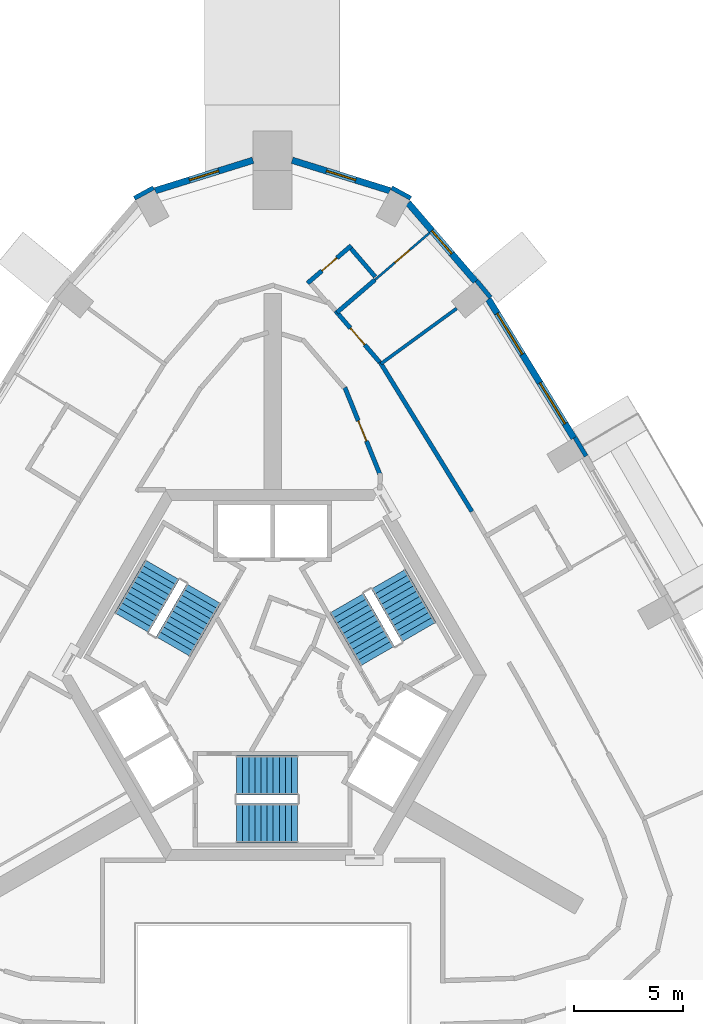
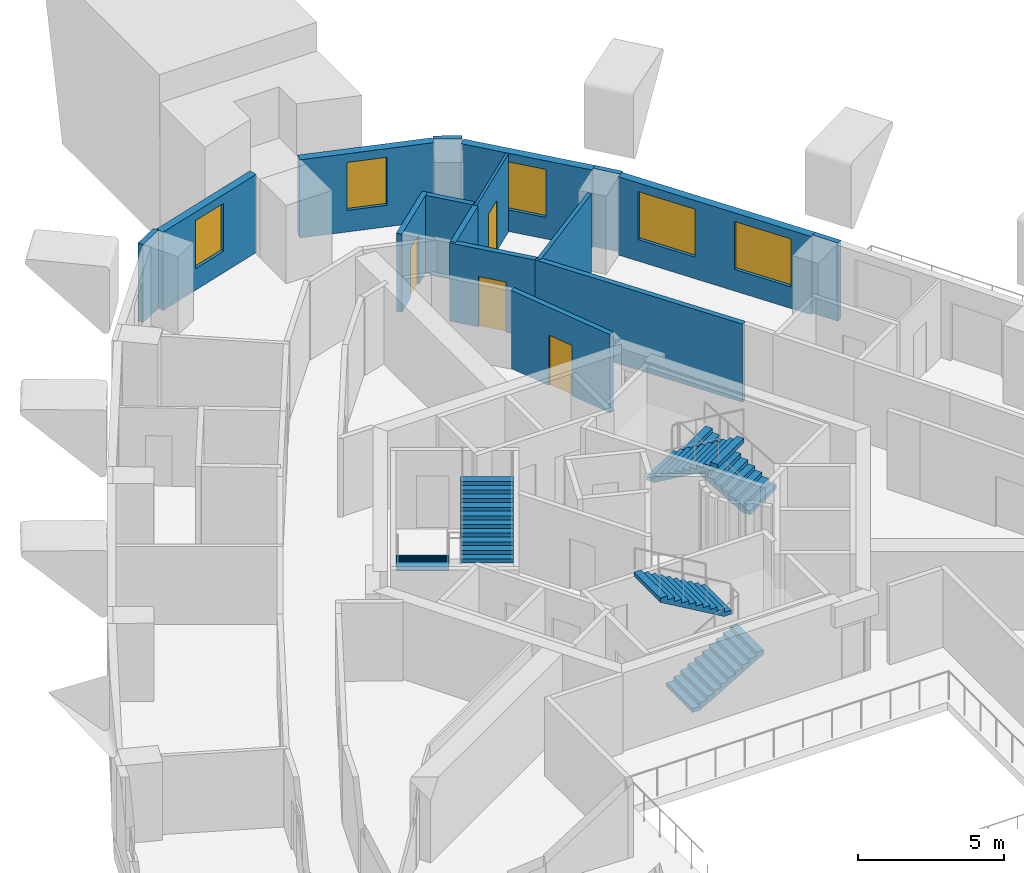
# One storey, part 8 of 11: 16 walls, 6 stair flights, 5 windows, 4 doors, 9 openings, 3 elements without a shape of their own.
"""IFC4 building model written with IfcOpenShell, lengths in metres."""

from ifc_helpers import new_model, si_unit, direction, frame, frame_2d, origin, place, context, subcontext, project, spatial, polyline, rectangle, outline, extrude, material, layer, layer_set, type_object, element, fill, aggregate, save


model = new_model("IFC4")

# Units and contexts
model_context = context("Model", 3, precision=1e-05, world=origin(), true_north=direction((0.0, 1.0)))
body_context = subcontext(model_context, "Body", "Model", "MODEL_VIEW")
ifc_project = project(units=[si_unit("LENGTHUNIT", "METRE"), si_unit("AREAUNIT", "SQUARE_METRE"), si_unit("VOLUMEUNIT", "CUBIC_METRE"), si_unit("PLANEANGLEUNIT", "RADIAN"), si_unit("MASSUNIT", "GRAM", prefix="KILO")], contexts=[model_context])

# Site, building, storey
site_placement = place(None, origin())
site = spatial("IfcSite", under=ifc_project, at=site_placement, CompositionType="ELEMENT")
building_placement = place(site_placement, origin())
building = spatial("IfcBuilding", under=site, at=building_placement, Name="Entoto Arch Interchange Tower", CompositionType="ELEMENT")
storey_placement = place(building_placement, frame((0.0, 0.0, 318.800048828125)))
storey = spatial("IfcBuildingStorey", under=building, at=storey_placement, Name="L75", CompositionType="ELEMENT", Elevation=318.800048828125)

# Wall, opening, door
ifc_material_1 = material(Name="Gypsum board partition on steel studs", Category="steel")
ifc_layer_1 = layer(ifc_material_1, 0.10009765625)
ifc_layer_set_1 = layer_set([ifc_layer_1], Name="Gypsum board partition on steel studs")
wall_type_1 = type_object("IfcWallType", Name="PARTITION 100", PredefinedType="PARTITIONING", material=ifc_layer_set_1)
wall_1_placement = place(storey_placement, frame((4.697998046875, 20.632080078125, 0.0), z_axis=(0.0, 0.0, 1.0), x_axis=(0.75843091069, 0.651753445491, 0.0)))
wall_1 = element("IfcWall", 1, at=wall_1_placement, inside=storey, type_object=wall_type_1, Name="wall:L75:p092", PredefinedType="PARTITIONING", context=body_context, shape_type="SweptSolid", body=[
    extrude(rectangle(XDim=3.300048828125, YDim=0.10009765625, at=frame_2d((1.64990234375, 0.0))), origin(), (0.0, 0.0, 1.0), 3.260009765625),
])
opening_1_placement = place(wall_1_placement, frame((1.199951171875, 0.0, 0.0)))
opening_1 = element("IfcOpeningElement", 2, at=opening_1_placement, cuts=wall_1, Name="Opening L75-D08", PredefinedType="OPENING", context=body_context, shape_type="SweptSolid", body=[
    extrude(rectangle(XDim=0.89990234375, YDim=2.10009765625, at=frame_2d((0.449951171875, 1.050048828125))), frame((0.0, 0.06005859375, 0.0), z_axis=(0.0, -1.0, 0.0), x_axis=(1.0, 0.0, 0.0)), (0.0, 0.0, 1.0), 0.1201171875),
])
ifc_material_2 = material(Name="Timber door leaf in Steel S235 frame", Category="steel")
door_type_1 = type_object("IfcDoorType", Name="DOOR DS-09 900x2100", OperationType="SINGLE_SWING_LEFT", PredefinedType="DOOR", material=ifc_material_2)
door_1_placement = place(opening_1_placement, origin())
door_1 = element("IfcDoor", 3, at=door_1_placement, inside=storey, type_object=door_type_1, Name="door:L75:08", OperationType="SINGLE_SWING_RIGHT", OverallHeight=2.10009765625, OverallWidth=0.89990234375, PredefinedType="DOOR", context=body_context, shape_type="SweptSolid", body=[
    extrude(rectangle(XDim=0.89990234375, YDim=2.10009765625, at=frame_2d((0.449951171875, 1.050048828125))), frame((0.0, 0.02490234375, 0.0), z_axis=(0.0, -1.0, 0.0), x_axis=(1.0, 0.0, 0.0)), (0.0, 0.0, 1.0), 0.050048828125),
])
fill(opening_1, door_1)

# Wall
ifc_layer_2 = layer(ifc_material_1, 0.14990234375)
ifc_layer_set_2 = layer_set([ifc_layer_2], Name="Gypsum board partition on steel studs")
wall_type_2 = type_object("IfcWallType", Name="PARTITION 150", PredefinedType="PARTITIONING", material=ifc_layer_set_2)
wall_2_placement = place(storey_placement, frame((4.97412109375, 16.781982421875, 0.0), z_axis=(0.0, 0.0, 1.0), x_axis=(0.807621211013, 0.589701602102, 0.0)))
element("IfcWall", 4, at=wall_2_placement, inside=storey, type_object=wall_type_2, Name="wall:L75:p091", PredefinedType="PARTITIONING", context=body_context, shape_type="SweptSolid", body=[
    extrude(rectangle(XDim=4.29541015625, YDim=0.14990234375, at=frame_2d((2.147705078125, 0.0))), origin(), (0.0, 0.0, 1.0), 3.260009765625),
])

# Wall, opening, door
ifc_layer_3 = layer(ifc_material_1, 0.199951171875)
ifc_layer_set_3 = layer_set([ifc_layer_3], Name="Gypsum board partition on steel studs")
wall_type_3 = type_object("IfcWallType", Name="PARTITION 200", PredefinedType="PARTITIONING", material=ifc_layer_set_3)
wall_3_placement = place(storey_placement, frame((4.923095703125, 11.70703125, 0.0), z_axis=(0.0, 0.0, 1.0), x_axis=(-0.374122865642, 0.927379146522, 0.0)))
wall_3 = element("IfcWall", 5, at=wall_3_placement, inside=storey, type_object=wall_type_3, Name="wall:L75:p007", PredefinedType="PARTITIONING", context=body_context, shape_type="SweptSolid", body=[
    extrude(rectangle(XDim=4.2958984375, YDim=0.199951171875, at=frame_2d((2.14794921875, 0.0))), origin(), (0.0, 0.0, 1.0), 3.260009765625),
])
opening_2_placement = place(wall_3_placement, frame((1.64794921875, 0.0, 0.0)))
opening_2 = element("IfcOpeningElement", 6, at=opening_2_placement, cuts=wall_3, Name="Opening L75-D20", PredefinedType="OPENING", context=body_context, shape_type="SweptSolid", body=[
    extrude(rectangle(XDim=1.0, YDim=2.10009765625, at=frame_2d((0.5, 1.050048828125))), frame((0.0, 0.10986328125, 0.0), z_axis=(0.0, -1.0, 0.0), x_axis=(1.0, 0.0, 0.0)), (0.0, 0.0, 1.0), 0.219970703125),
])
door_type_2 = type_object("IfcDoorType", Name="DOOR DS-10 1000x2100", OperationType="SINGLE_SWING_LEFT", PredefinedType="DOOR", material=ifc_material_2)
door_2_placement = place(opening_2_placement, origin())
door_2 = element("IfcDoor", 7, at=door_2_placement, inside=storey, type_object=door_type_2, Name="door:L75:20", OperationType="SINGLE_SWING_LEFT", OverallHeight=2.10009765625, OverallWidth=1.0, PredefinedType="DOOR", context=body_context, shape_type="SweptSolid", body=[
    extrude(rectangle(XDim=1.0, YDim=2.10009765625, at=frame_2d((0.5, 1.050048828125))), frame((0.0, 0.02490234375, 0.0), z_axis=(0.0, -1.0, 0.0), x_axis=(1.0, 0.0, 0.0)), (0.0, 0.0, 1.0), 0.050048828125),
])
fill(opening_2, door_2)

# Wall
wall_4_placement = place(storey_placement, frame((4.922119140625, 16.866943359375, 0.0), z_axis=(0.0, 0.0, 1.0), x_axis=(0.523943621984, -0.851752945978, 0.0)))
element("IfcWall", 8, at=wall_4_placement, inside=storey, type_object=wall_type_3, Name="wall:L75:p037", PredefinedType="PARTITIONING", context=body_context, shape_type="SweptSolid", body=[
    extrude(rectangle(XDim=8.059814453125, YDim=0.199951171875, at=frame_2d((4.02978515625, 0.0))), origin(), (0.0, 0.0, 1.0), 3.260009765625),
])

# Wall, opening, door
wall_5_placement = place(storey_placement, frame((2.888916015625, 19.208984375, 0.0), z_axis=(0.0, 0.0, 1.0), x_axis=(0.651686040861, -0.758488829283, 0.0)))
wall_5 = element("IfcWall", 9, at=wall_5_placement, inside=storey, type_object=wall_type_3, Name="wall:L75:p040", PredefinedType="PARTITIONING", context=body_context, shape_type="SweptSolid", body=[
    extrude(rectangle(XDim=3.099609375, YDim=0.199951171875, at=frame_2d((1.5498046875, 0.0))), origin(), (0.0, 0.0, 1.0), 3.260009765625),
])
opening_3_placement = place(wall_5_placement, frame((1.050048828125, 0.0, 0.0)))
opening_3 = element("IfcOpeningElement", 10, at=opening_3_placement, cuts=wall_5, Name="Opening L75-D07", PredefinedType="OPENING", context=body_context, shape_type="SweptSolid", body=[
    extrude(rectangle(XDim=1.0, YDim=2.10009765625, at=frame_2d((0.5, 1.050048828125))), frame((0.0, 0.10986328125, 0.0), z_axis=(0.0, -1.0, 0.0), x_axis=(1.0, 0.0, 0.0)), (0.0, 0.0, 1.0), 0.219970703125),
])
ifc_material_3 = material(Name="Fire-rated Steel S235 door and frame", Category="steel")
door_type_3 = type_object("IfcDoorType", Name="DOOR FD-10 1000x2100", OperationType="SINGLE_SWING_LEFT", PredefinedType="DOOR", material=ifc_material_3)
door_3_placement = place(opening_3_placement, origin())
door_3 = element("IfcDoor", 11, at=door_3_placement, inside=storey, type_object=door_type_3, Name="door:L75:07", OperationType="SINGLE_SWING_LEFT", OverallHeight=2.10009765625, OverallWidth=1.0, PredefinedType="DOOR", context=body_context, shape_type="SweptSolid", body=[
    extrude(rectangle(XDim=1.0, YDim=2.10009765625, at=frame_2d((0.5, 1.050048828125))), frame((0.0, 0.02490234375, 0.0), z_axis=(0.0, -1.0, 0.0), x_axis=(1.0, 0.0, 0.0)), (0.0, 0.0, 1.0), 0.050048828125),
])
fill(opening_3, door_3)

# Walls
wall_6_placement = place(storey_placement, frame((2.9541015625, 19.133056640625, 0.0), z_axis=(0.0, 0.0, 1.0), x_axis=(0.758341579104, 0.65185738425, 0.0)))
element("IfcWall", 12, at=wall_6_placement, inside=storey, type_object=wall_type_3, Name="wall:L75:p093", PredefinedType="PARTITIONING", context=body_context, shape_type="SweptSolid", body=[
    extrude(rectangle(XDim=2.299560546875, YDim=0.199951171875, at=frame_2d((1.14990234375, 0.0))), origin(), (0.0, 0.0, 1.0), 3.260009765625),
])
wall_7_placement = place(storey_placement, frame((4.708984375, 20.77294921875, 0.0), z_axis=(0.0, 0.0, 1.0), x_axis=(-0.651808051275, 0.758383982092, 0.0)))
element("IfcWall", 13, at=wall_7_placement, inside=storey, type_object=wall_type_3, Name="wall:L75:p094", PredefinedType="PARTITIONING", context=body_context, shape_type="SweptSolid", body=[
    extrude(rectangle(XDim=1.69970703125, YDim=0.199951171875, at=frame_2d((0.849853515625, 0.0))), origin(), (0.0, 0.0, 1.0), 3.260009765625),
])

# Wall, opening, door
wall_8_placement = place(storey_placement, frame((3.611083984375, 22.202880859375, 0.0), z_axis=(0.0, 0.0, 1.0), x_axis=(-0.75836467248, -0.651830517493, 0.0)))
wall_8 = element("IfcWall", 14, at=wall_8_placement, inside=storey, type_object=wall_type_3, Name="wall:L75:p095", PredefinedType="PARTITIONING", context=body_context, shape_type="SweptSolid", body=[
    extrude(rectangle(XDim=2.649169921875, YDim=0.199951171875, at=frame_2d((1.32470703125, 0.0))), origin(), (0.0, 0.0, 1.0), 3.260009765625),
])
opening_4_placement = place(wall_8_placement, frame((0.875, 0.0, 0.0)))
opening_4 = element("IfcOpeningElement", 15, at=opening_4_placement, cuts=wall_8, Name="Opening L75-D09", PredefinedType="OPENING", context=body_context, shape_type="SweptSolid", body=[
    extrude(rectangle(XDim=0.89990234375, YDim=2.10009765625, at=frame_2d((0.449951171875, 1.050048828125))), frame((0.0, 0.10986328125, 0.0), z_axis=(0.0, -1.0, 0.0), x_axis=(1.0, 0.0, 0.0)), (0.0, 0.0, 1.0), 0.219970703125),
])
door_4_placement = place(opening_4_placement, origin())
door_4 = element("IfcDoor", 16, at=door_4_placement, inside=storey, type_object=door_type_1, Name="door:L75:09", OperationType="SINGLE_SWING_LEFT", OverallHeight=2.10009765625, OverallWidth=0.89990234375, PredefinedType="DOOR", context=body_context, shape_type="SweptSolid", body=[
    extrude(rectangle(XDim=0.89990234375, YDim=2.10009765625, at=frame_2d((0.449951171875, 1.050048828125))), frame((0.0, 0.02490234375, 0.0), z_axis=(0.0, -1.0, 0.0), x_axis=(1.0, 0.0, 0.0)), (0.0, 0.0, 1.0), 0.050048828125),
])
fill(opening_4, door_4)

# Wall, openings, windows
ifc_material_4 = material(Name="Welded tuff (ignimbrite) cladding, warm buff", Category="masonry")
ifc_layer_4 = layer(ifc_material_4, 0.300048828125)
ifc_layer_set_4 = layer_set([ifc_layer_4], Name="Welded tuff (ignimbrite) cladding, warm buff")
wall_type_4 = type_object("IfcWallType", Name="STONE INFILL WALL 300", PredefinedType="STANDARD", material=ifc_layer_set_4)
wall_9_placement = place(storey_placement, frame((13.822998046875, 13.3720703125, 0.0), z_axis=(0.0, 0.0, 1.0), x_axis=(-0.524004608874, 0.851715427757, 0.0)))
wall_9 = element("IfcWall", 17, at=wall_9_placement, inside=storey, type_object=wall_type_4, Name="Facade wall NE-03 L75", PredefinedType="STANDARD", context=body_context, shape_type="SweptSolid", body=[
    extrude(rectangle(XDim=7.48486328125, YDim=0.300048828125, at=frame_2d((3.742431640625, 0.0))), origin(), (0.0, 0.0, 1.0), 3.260009765625),
])
opening_5_placement = place(wall_9_placement, frame((0.77099609375, 0.0, 0.89990234375)))
opening_5 = element("IfcOpeningElement", 18, at=opening_5_placement, cuts=wall_9, Name="Opening WH-A", PredefinedType="OPENING", context=body_context, shape_type="SweptSolid", body=[
    extrude(rectangle(XDim=2.199951171875, YDim=2.0, at=frame_2d((1.10009765625, 1.0))), frame((0.0, 0.16015625, 0.0), z_axis=(0.0, -1.0, 0.0), x_axis=(1.0, 0.0, 0.0)), (0.0, 0.0, 1.0), 0.320068359375),
])
opening_6_placement = place(wall_9_placement, frame((4.513916015625, 0.0, 0.89990234375)))
opening_6 = element("IfcOpeningElement", 19, at=opening_6_placement, cuts=wall_9, Name="Opening WH-A", PredefinedType="OPENING", context=body_context, shape_type="SweptSolid", body=[
    extrude(rectangle(XDim=2.199951171875, YDim=2.0, at=frame_2d((1.10009765625, 1.0))), frame((0.0, 0.16015625, 0.0), z_axis=(0.0, -1.0, 0.0), x_axis=(1.0, 0.0, 0.0)), (0.0, 0.0, 1.0), 0.320068359375),
])
ifc_material_5 = material(Name="Clear glass, low-e double glazed", Category="glass")
window_type_1 = type_object("IfcWindowType", Name="WINDOW WH-A 2200x2000", PartitioningType="DOUBLE_PANEL_VERTICAL", PredefinedType="WINDOW", material=ifc_material_5)
window_1_placement = place(opening_5_placement, origin())
window_1 = element("IfcWindow", 20, at=window_1_placement, inside=storey, type_object=window_type_1, Name="Window WH-A NE-03 L75", OverallHeight=2.0, OverallWidth=2.199951171875, PartitioningType="SINGLE_PANEL", PredefinedType="WINDOW", context=body_context, shape_type="SweptSolid", body=[
    extrude(rectangle(XDim=2.199951171875, YDim=2.0, at=frame_2d((1.10009765625, 1.0))), frame((0.0, 0.030029296875, 0.0), z_axis=(0.0, -1.0, 0.0), x_axis=(1.0, 0.0, 0.0)), (0.0, 0.0, 1.0), 0.06005859375),
])
fill(opening_5, window_1)
window_2_placement = place(opening_6_placement, origin())
window_2 = element("IfcWindow", 21, at=window_2_placement, inside=storey, type_object=window_type_1, Name="Window WH-A NE-03 L75", OverallHeight=2.0, OverallWidth=2.199951171875, PartitioningType="SINGLE_PANEL", PredefinedType="WINDOW", context=body_context, shape_type="SweptSolid", body=[
    extrude(rectangle(XDim=2.199951171875, YDim=2.0, at=frame_2d((1.10009765625, 1.0))), frame((0.0, 0.030029296875, 0.0), z_axis=(0.0, -1.0, 0.0), x_axis=(1.0, 0.0, 0.0)), (0.0, 0.0, 1.0), 0.06005859375),
])
fill(opening_6, window_2)

# Wall, opening, window
wall_10_placement = place(storey_placement, frame((9.31298828125, 20.554931640625, 0.0), z_axis=(0.0, 0.0, 1.0), x_axis=(-0.651684474108, 0.758490175419, 0.0)))
wall_10 = element("IfcWall", 22, at=wall_10_placement, inside=storey, type_object=wall_type_4, Name="Facade wall N-01 L75", PredefinedType="STANDARD", context=body_context, shape_type="SweptSolid", body=[
    extrude(rectangle(XDim=4.747802734375, YDim=0.300048828125, at=frame_2d((2.3740234375, 0.0))), origin(), (0.0, 0.0, 1.0), 3.260009765625),
])
opening_7_placement = place(wall_10_placement, frame((1.674072265625, 0.0, 0.89990234375)))
opening_7 = element("IfcOpeningElement", 23, at=opening_7_placement, cuts=wall_10, Name="Opening WH-B", PredefinedType="OPENING", context=body_context, shape_type="SweptSolid", body=[
    extrude(rectangle(XDim=1.39990234375, YDim=2.0, at=frame_2d((0.699951171875, 1.0))), frame((0.0, 0.16015625, 0.0), z_axis=(0.0, -1.0, 0.0), x_axis=(1.0, 0.0, 0.0)), (0.0, 0.0, 1.0), 0.320068359375),
])
window_type_2 = type_object("IfcWindowType", Name="WINDOW WH-B 1400x2000", PartitioningType="DOUBLE_PANEL_VERTICAL", PredefinedType="WINDOW", material=ifc_material_5)
window_3_placement = place(opening_7_placement, origin())
window_3 = element("IfcWindow", 24, at=window_3_placement, inside=storey, type_object=window_type_2, Name="Window WH-B N-01 L75", OverallHeight=2.0, OverallWidth=1.39990234375, PartitioningType="SINGLE_PANEL", PredefinedType="WINDOW", context=body_context, shape_type="SweptSolid", body=[
    extrude(rectangle(XDim=1.39990234375, YDim=2.0, at=frame_2d((0.699951171875, 1.0))), frame((0.0, 0.030029296875, 0.0), z_axis=(0.0, -1.0, 0.0), x_axis=(1.0, 0.0, 0.0)), (0.0, 0.0, 1.0), 0.06005859375),
])
fill(opening_7, window_3)

wall_11_placement = place(storey_placement, frame((5.388916015625, 24.718017578125, 0.0), z_axis=(0.0, 0.0, 1.0), x_axis=(-0.954792612552, 0.297272714886, 0.0)))
wall_11 = element("IfcWall", 25, at=wall_11_placement, inside=storey, type_object=wall_type_4, Name="Facade wall N-02 L75", PredefinedType="STANDARD", context=body_context, shape_type="SweptSolid", body=[
    extrude(rectangle(XDim=4.70263671875, YDim=0.300048828125, at=frame_2d((2.351318359375, 0.0))), origin(), (0.0, 0.0, 1.0), 3.260009765625),
])
opening_8_placement = place(wall_11_placement, frame((1.65087890625, 0.0, 0.89990234375)))
opening_8 = element("IfcOpeningElement", 26, at=opening_8_placement, cuts=wall_11, Name="Opening WH-B", PredefinedType="OPENING", context=body_context, shape_type="SweptSolid", body=[
    extrude(rectangle(XDim=1.39990234375, YDim=2.0, at=frame_2d((0.699951171875, 1.0))), frame((0.0, 0.16015625, 0.0), z_axis=(0.0, -1.0, 0.0), x_axis=(1.0, 0.0, 0.0)), (0.0, 0.0, 1.0), 0.320068359375),
])
window_4_placement = place(opening_8_placement, origin())
window_4 = element("IfcWindow", 27, at=window_4_placement, inside=storey, type_object=window_type_2, Name="Window WH-B N-02 L75", OverallHeight=2.0, OverallWidth=1.39990234375, PartitioningType="SINGLE_PANEL", PredefinedType="WINDOW", context=body_context, shape_type="SweptSolid", body=[
    extrude(rectangle(XDim=1.39990234375, YDim=2.0, at=frame_2d((0.699951171875, 1.0))), frame((0.0, 0.030029296875, 0.0), z_axis=(0.0, -1.0, 0.0), x_axis=(1.0, 0.0, 0.0)), (0.0, 0.0, 1.0), 0.06005859375),
])
fill(opening_8, window_4)

wall_12_placement = place(storey_placement, frame((-0.89892578125, 26.115966796875, 0.0), z_axis=(0.0, 0.0, 1.0), x_axis=(-0.954792612552, -0.297272714886, 0.0)))
wall_12 = element("IfcWall", 28, at=wall_12_placement, inside=storey, type_object=wall_type_4, Name="Facade wall N-03 L75", PredefinedType="STANDARD", context=body_context, shape_type="SweptSolid", body=[
    extrude(rectangle(XDim=4.70263671875, YDim=0.300048828125, at=frame_2d((2.351318359375, 0.0))), origin(), (0.0, 0.0, 1.0), 3.260009765625),
])
opening_9_placement = place(wall_12_placement, frame((1.65087890625, 0.0, 0.89990234375)))
opening_9 = element("IfcOpeningElement", 29, at=opening_9_placement, cuts=wall_12, Name="Opening WH-B", PredefinedType="OPENING", context=body_context, shape_type="SweptSolid", body=[
    extrude(rectangle(XDim=1.39990234375, YDim=2.0, at=frame_2d((0.699951171875, 1.0))), frame((0.0, 0.16015625, 0.0), z_axis=(0.0, -1.0, 0.0), x_axis=(1.0, 0.0, 0.0)), (0.0, 0.0, 1.0), 0.320068359375),
])
window_5_placement = place(opening_9_placement, origin())
window_5 = element("IfcWindow", 30, at=window_5_placement, inside=storey, type_object=window_type_2, Name="Window WH-B N-03 L75", OverallHeight=2.0, OverallWidth=1.39990234375, PartitioningType="SINGLE_PANEL", PredefinedType="WINDOW", context=body_context, shape_type="SweptSolid", body=[
    extrude(rectangle(XDim=1.39990234375, YDim=2.0, at=frame_2d((0.699951171875, 1.0))), frame((0.0, 0.030029296875, 0.0), z_axis=(0.0, -1.0, 0.0), x_axis=(1.0, 0.0, 0.0)), (0.0, 0.0, 1.0), 0.06005859375),
])
fill(opening_9, window_5)

# Walls
ifc_layer_5 = layer(ifc_material_4, 0.199951171875)
ifc_layer_set_5 = layer_set([ifc_layer_5], Name="Welded tuff (ignimbrite) cladding, warm buff")
wall_type_5 = type_object("IfcWallType", Name="STONE PIER CLADDING 200", PredefinedType="STANDARD", material=ifc_layer_set_5)
for number, where, z_axis, x_axis, name in (
    (31, (6.339111328125, 24.3740234375, 0.0), (0.0, 0.0, 1.0), (-0.877895572914, 0.478852130681, 0.0), "Stone pier N1 L75"),
    (32, (-5.4609375, 24.85302734375, 0.0), (0.0, 0.0, 1.0), (-0.877895572914, -0.478852130681, 0.0), "Stone pier N3 L75"),
    (33, (14.384033203125, 12.5439453125, 0.0), (0.0, 0.0, 1.0), (-0.513777707721, 0.857923345672, 0.0), "Stone pier NE03 L75"),
    (34, (9.9951171875, 19.822021484375, 0.0), (0.0, 0.0, 1.0), (-0.635998056672, 0.771690658172, 0.0), "Stone pier NE04 L75"),
):
    element("IfcWall", number, at=place(storey_placement, frame(where, z_axis=z_axis, x_axis=x_axis)), inside=storey, type_object=wall_type_5, Name=name, PredefinedType="STANDARD", context=body_context, shape_type="SweptSolid", body=[
        extrude(rectangle(XDim=1.000244140625, YDim=0.199951171875, at=frame_2d((0.5, 0.0))), origin(), (0.0, 0.0, 1.0), 3.260009765625),
    ])

# Stair, stair flights
ifc_material_6 = material(Name="Concrete C40/50", Category="concrete")
stair_type = type_object("IfcStairType", Name="EXIT STAIR RC 1800", PredefinedType="HALF_TURN_STAIR", material=ifc_material_6)
stair_1_placement = place(storey_placement, origin())
stair_1 = element("IfcStair", 35, at=stair_1_placement, inside=storey, type_object=stair_type, Name="L75 Exit stair S", PredefinedType="HALF_TURN_STAIR")
stair_flight_type = type_object("IfcStairFlightType", Name="EXIT STAIR FLIGHT RC 1800", PredefinedType="STRAIGHT", material=ifc_material_6)
stair_flight_1_placement = place(storey_placement, frame((-1.64990234375, -4.300048828125, 0.0), z_axis=(0.0, 0.0, 1.0), x_axis=(1.0, 0.0, 0.0)))
stair_flight_1 = element("IfcStairFlight", 36, at=stair_flight_1_placement, type_object=stair_flight_type, Name="ST-S flight 1", NumberOfRisers=11, NumberOfTreads=10, PredefinedType="STRAIGHT", RiserHeight=0.163636364, TreadLength=0.28, context=body_context, shape_type="SweptSolid", body=[
    extrude(outline(polyline([(-0.0029296875, 0.0), (-0.0029296875, 0.16357421875), (0.280029296875, 0.16357421875), (0.280029296875, 0.327392578125), (0.56005859375, 0.327392578125), (0.56005859375, 0.490966796875), (0.840087890625, 0.490966796875), (0.840087890625, 0.654541015625), (1.1201171875, 0.654541015625), (1.1201171875, 0.818115234375), (1.39990234375, 0.818115234375), (1.39990234375, 0.98193359375), (1.679931640625, 0.98193359375), (1.679931640625, 1.1455078125), (1.9599609375, 1.1455078125), (1.9599609375, 1.30908203125), (2.239990234375, 1.30908203125), (2.239990234375, 1.47265625), (2.52001953125, 1.47265625), (2.52001953125, 1.636474609375), (2.800048828125, 1.636474609375), (2.802978515625, 1.636474609375), (2.802978515625, 1.464599609375), (0.297119140625, 0.0), (-0.0029296875, 0.0)])), frame((0.0, 0.89990234375, 0.0), z_axis=(0.0, -1.0, 0.0), x_axis=(1.0, 0.0, 0.0)), (0.0, 0.0, 1.0), 1.800048828125),
])
stair_flight_2_placement = place(storey_placement, frame((1.14990234375, -2.10009765625, 1.800048828125), z_axis=(0.0, 0.0, 1.0), x_axis=(-1.0, 0.0, 0.0)))
stair_flight_2 = element("IfcStairFlight", 37, at=stair_flight_2_placement, type_object=stair_flight_type, Name="ST-S flight 2", NumberOfRisers=11, NumberOfTreads=10, PredefinedType="STRAIGHT", RiserHeight=0.163636364, TreadLength=0.28, context=body_context, shape_type="SweptSolid", body=[
    extrude(outline(polyline([(-0.0029296875, 0.0), (-0.0029296875, 0.16357421875), (0.280029296875, 0.16357421875), (0.280029296875, 0.327392578125), (0.56005859375, 0.327392578125), (0.56005859375, 0.490966796875), (0.840087890625, 0.490966796875), (0.840087890625, 0.654541015625), (1.1201171875, 0.654541015625), (1.1201171875, 0.818115234375), (1.39990234375, 0.818115234375), (1.39990234375, 0.98193359375), (1.679931640625, 0.98193359375), (1.679931640625, 1.1455078125), (1.9599609375, 1.1455078125), (1.9599609375, 1.30908203125), (2.239990234375, 1.30908203125), (2.239990234375, 1.47265625), (2.52001953125, 1.47265625), (2.52001953125, 1.636474609375), (2.800048828125, 1.636474609375), (2.802978515625, 1.636474609375), (2.802978515625, 1.464599609375), (0.297119140625, 0.0), (-0.0029296875, 0.0)])), frame((0.0, 0.89990234375, 0.0), z_axis=(0.0, -1.0, 0.0), x_axis=(1.0, 0.0, 0.0)), (0.0, 0.0, 1.0), 1.800048828125),
])
aggregate(stair_1, [stair_flight_1, stair_flight_2])

stair_2_placement = place(storey_placement, origin())
stair_2 = element("IfcStair", 38, at=stair_2_placement, inside=storey, type_object=stair_type, Name="L75 Exit stair NE", PredefinedType="HALF_TURN_STAIR")
stair_flight_3_placement = place(storey_placement, frame((6.7138671875, 4.470947265625, 0.0), z_axis=(0.0, 0.0, 1.0), x_axis=(-0.5, 0.866025403784, 0.0)))
stair_flight_3 = element("IfcStairFlight", 39, at=stair_flight_3_placement, type_object=stair_flight_type, Name="ST-NE flight 1", NumberOfRisers=11, NumberOfTreads=10, PredefinedType="STRAIGHT", RiserHeight=0.163636364, TreadLength=0.28, context=body_context, shape_type="SweptSolid", body=[
    extrude(outline(polyline([(-0.0029296875, 0.0), (-0.0029296875, 0.16357421875), (0.280029296875, 0.16357421875), (0.280029296875, 0.327392578125), (0.56005859375, 0.327392578125), (0.56005859375, 0.490966796875), (0.840087890625, 0.490966796875), (0.840087890625, 0.654541015625), (1.1201171875, 0.654541015625), (1.1201171875, 0.818115234375), (1.39990234375, 0.818115234375), (1.39990234375, 0.98193359375), (1.679931640625, 0.98193359375), (1.679931640625, 1.1455078125), (1.9599609375, 1.1455078125), (1.9599609375, 1.30908203125), (2.239990234375, 1.30908203125), (2.239990234375, 1.47265625), (2.52001953125, 1.47265625), (2.52001953125, 1.636474609375), (2.800048828125, 1.636474609375), (2.802978515625, 1.636474609375), (2.802978515625, 1.464599609375), (0.297119140625, 0.0), (-0.0029296875, 0.0)])), frame((0.0, 0.89990234375, 0.0), z_axis=(0.0, -1.0, 0.0), x_axis=(1.0, 0.0, 0.0)), (0.0, 0.0, 1.0), 1.800048828125),
])
stair_flight_4_placement = place(storey_placement, frame((3.40869140625, 5.7958984375, 1.800048828125), z_axis=(0.0, 0.0, 1.0), x_axis=(0.5, -0.866025403784, 0.0)))
stair_flight_4 = element("IfcStairFlight", 40, at=stair_flight_4_placement, type_object=stair_flight_type, Name="ST-NE flight 2", NumberOfRisers=11, NumberOfTreads=10, PredefinedType="STRAIGHT", RiserHeight=0.163636364, TreadLength=0.28, context=body_context, shape_type="SweptSolid", body=[
    extrude(outline(polyline([(-0.0029296875, 0.0), (-0.0029296875, 0.16357421875), (0.280029296875, 0.16357421875), (0.280029296875, 0.327392578125), (0.56005859375, 0.327392578125), (0.56005859375, 0.490966796875), (0.840087890625, 0.490966796875), (0.840087890625, 0.654541015625), (1.1201171875, 0.654541015625), (1.1201171875, 0.818115234375), (1.39990234375, 0.818115234375), (1.39990234375, 0.98193359375), (1.679931640625, 0.98193359375), (1.679931640625, 1.1455078125), (1.9599609375, 1.1455078125), (1.9599609375, 1.30908203125), (2.239990234375, 1.30908203125), (2.239990234375, 1.47265625), (2.52001953125, 1.47265625), (2.52001953125, 1.636474609375), (2.800048828125, 1.636474609375), (2.802978515625, 1.636474609375), (2.802978515625, 1.464599609375), (0.297119140625, 0.0), (-0.0029296875, 0.0)])), frame((0.0, 0.89990234375, 0.0), z_axis=(0.0, -1.0, 0.0), x_axis=(1.0, 0.0, 0.0)), (0.0, 0.0, 1.0), 1.800048828125),
])
aggregate(stair_2, [stair_flight_3, stair_flight_4])

stair_3_placement = place(storey_placement, origin())
stair_3 = element("IfcStair", 41, at=stair_3_placement, inside=storey, type_object=stair_type, Name="L75 Exit stair NW", PredefinedType="HALF_TURN_STAIR")
stair_flight_5_placement = place(storey_placement, frame((-5.06396484375, 7.328857421875, 0.0), z_axis=(0.0, 0.0, 1.0), x_axis=(-0.5, -0.866025403784, 0.0)))
stair_flight_5 = element("IfcStairFlight", 42, at=stair_flight_5_placement, type_object=stair_flight_type, Name="ST-NW flight 1", NumberOfRisers=11, NumberOfTreads=10, PredefinedType="STRAIGHT", RiserHeight=0.163636364, TreadLength=0.28, context=body_context, shape_type="SweptSolid", body=[
    extrude(outline(polyline([(-0.0029296875, 0.0), (-0.0029296875, 0.16357421875), (0.280029296875, 0.16357421875), (0.280029296875, 0.327392578125), (0.56005859375, 0.327392578125), (0.56005859375, 0.490966796875), (0.840087890625, 0.490966796875), (0.840087890625, 0.654541015625), (1.1201171875, 0.654541015625), (1.1201171875, 0.818115234375), (1.39990234375, 0.818115234375), (1.39990234375, 0.98193359375), (1.679931640625, 0.98193359375), (1.679931640625, 1.1455078125), (1.9599609375, 1.1455078125), (1.9599609375, 1.30908203125), (2.239990234375, 1.30908203125), (2.239990234375, 1.47265625), (2.52001953125, 1.47265625), (2.52001953125, 1.636474609375), (2.800048828125, 1.636474609375), (2.802978515625, 1.636474609375), (2.802978515625, 1.464599609375), (0.297119140625, 0.0), (-0.0029296875, 0.0)])), frame((0.0, 0.89990234375, 0.0), z_axis=(0.0, -1.0, 0.0), x_axis=(1.0, 0.0, 0.0)), (0.0, 0.0, 1.0), 1.800048828125),
])
stair_flight_6_placement = place(storey_placement, frame((-4.558837890625, 3.803955078125, 1.800048828125), z_axis=(0.0, 0.0, 1.0), x_axis=(0.5, 0.866025403784, 0.0)))
stair_flight_6 = element("IfcStairFlight", 43, at=stair_flight_6_placement, type_object=stair_flight_type, Name="ST-NW flight 2", NumberOfRisers=11, NumberOfTreads=10, PredefinedType="STRAIGHT", RiserHeight=0.163636364, TreadLength=0.28, context=body_context, shape_type="SweptSolid", body=[
    extrude(outline(polyline([(-0.0029296875, 0.0), (-0.0029296875, 0.16357421875), (0.280029296875, 0.16357421875), (0.280029296875, 0.327392578125), (0.56005859375, 0.327392578125), (0.56005859375, 0.490966796875), (0.840087890625, 0.490966796875), (0.840087890625, 0.654541015625), (1.1201171875, 0.654541015625), (1.1201171875, 0.818115234375), (1.39990234375, 0.818115234375), (1.39990234375, 0.98193359375), (1.679931640625, 0.98193359375), (1.679931640625, 1.1455078125), (1.9599609375, 1.1455078125), (1.9599609375, 1.30908203125), (2.239990234375, 1.30908203125), (2.239990234375, 1.47265625), (2.52001953125, 1.47265625), (2.52001953125, 1.636474609375), (2.800048828125, 1.636474609375), (2.802978515625, 1.636474609375), (2.802978515625, 1.464599609375), (0.297119140625, 0.0), (-0.0029296875, 0.0)])), frame((0.0, 0.89990234375, 0.0), z_axis=(0.0, -1.0, 0.0), x_axis=(1.0, 0.0, 0.0)), (0.0, 0.0, 1.0), 1.800048828125),
])
aggregate(stair_3, [stair_flight_5, stair_flight_6])

save(model, "model.ifc")
